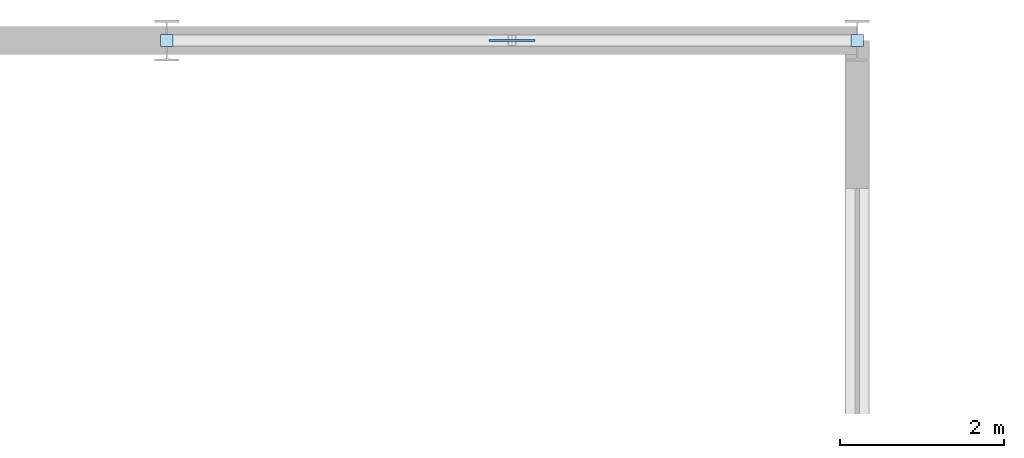
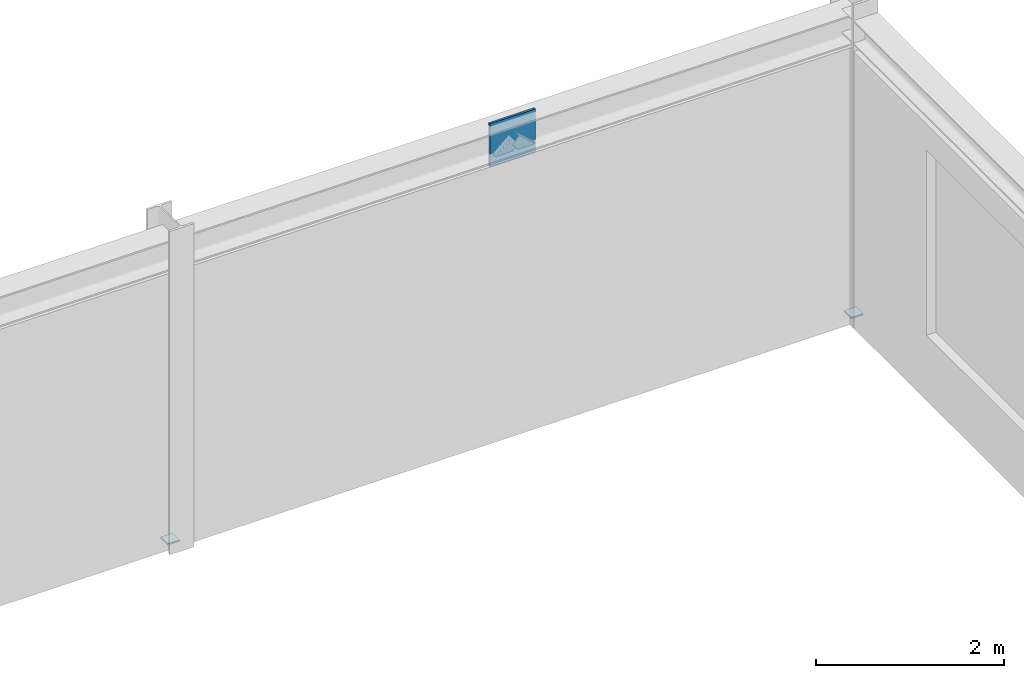
# One storey, part 61 of 73: 3 plates.
"""IFC4 building model written with IfcOpenShell, lengths in metres."""

from ifc_helpers import new_model, si_unit, derived_unit, direction, frame, origin, origin_2d, place, context, subcontext, project, spatial, rectangle, extrude, material, layer, layer_set, type_object, element, save


model = new_model("IFC4")

# Units and contexts
model_context = context("Model", 3, precision=1e-05, world=origin(), true_north=direction((0.0, 1.0)))
body_context = subcontext(model_context, "Body", "Model", "MODEL_VIEW")
ifc_project = project(units=[si_unit("LENGTHUNIT", "METRE"), si_unit("AREAUNIT", "SQUARE_METRE"), si_unit("VOLUMEUNIT", "CUBIC_METRE"), si_unit("PLANEANGLEUNIT", "RADIAN"), si_unit("MASSUNIT", "GRAM", prefix="KILO"), derived_unit("THERMALTRANSMITTANCEUNIT", [(si_unit("MASSUNIT", "GRAM", prefix="KILO"), 1), (si_unit("TIMEUNIT", "SECOND"), -3), (si_unit("THERMODYNAMICTEMPERATUREUNIT", "KELVIN"), -1)])], contexts=[model_context])

# Site, building, storey
site_placement = place(None, origin())
site = spatial("IfcSite", under=ifc_project, at=site_placement, CompositionType="ELEMENT")
building_placement = place(site_placement, origin())
building = spatial("IfcBuilding", under=site, at=building_placement, Name="Kharveza Railside Sports Centre", CompositionType="ELEMENT")
storey_placement = place(building_placement, frame((0.0, 0.0, 8.699951171875)))
storey = spatial("IfcBuildingStorey", under=building, at=storey_placement, Name="L02", CompositionType="ELEMENT", Elevation=8.699951171875)

# Plates
ifc_material = material(Name="Steel S355J2", Category="steel")
ifc_layer_1 = layer(ifc_material, 0.02001953125, Name="Steel S355J2")
ifc_layer_set_1 = layer_set([ifc_layer_1], Name="Steel S355J2")
plate_type_1 = type_object("IfcPlateType", Name="PL-EC11", PredefinedType="USERDEFINED", material=ifc_layer_set_1)
for number, where, z_axis, x_axis, name in (
    (1, (134.39990234375, 108.0, -0.010009765625), (0.0, 0.0, 1.0), (1.0, 0.0, 0.0), "PLT-EC-160"),
    (2, (142.800048828125, 108.0, -0.010009765625), (0.0, 0.0, 1.0), (1.0, 0.0, 0.0), "PLT-EC-161"),
):
    element("IfcPlate", number, at=place(storey_placement, frame(where, z_axis=z_axis, x_axis=x_axis)), inside=storey, type_object=plate_type_1, Name=name, ObjectType="END_CAP_PLATE", PredefinedType="USERDEFINED", context=body_context, shape_type="SweptSolid", body=[
        extrude(rectangle(XDim=0.14990234375, YDim=0.14990234375, at=origin_2d()), origin(), (0.0, 0.0, 1.0), 0.02001953125),
    ])
ifc_layer_2 = layer(ifc_material, 0.028076171875, Name="Steel S355J2")
ifc_layer_set_2 = layer_set([ifc_layer_2], Name="Steel S355J2")
plate_type_2 = type_object("IfcPlateType", Name="PL-GS05", PredefinedType="USERDEFINED", material=ifc_layer_set_2)
plate_placement = place(storey_placement, frame((138.60009765625, 108.0, 3.469970703125), z_axis=(0.0, 0.0, 1.0), x_axis=(1.0, 0.0, 0.0)))
element("IfcPlate", 3, at=plate_placement, inside=storey, type_object=plate_type_2, Name="PLT-GS-CHEV-009", ObjectType="GUSSET_PLATE", PredefinedType="USERDEFINED", context=body_context, shape_type="SweptSolid", body=[
    extrude(rectangle(XDim=0.56005859375, YDim=0.028076171875, at=origin_2d()), origin(), (0.0, 0.0, 1.0), 0.56005859375),
])

save(model, "model.ifc")
